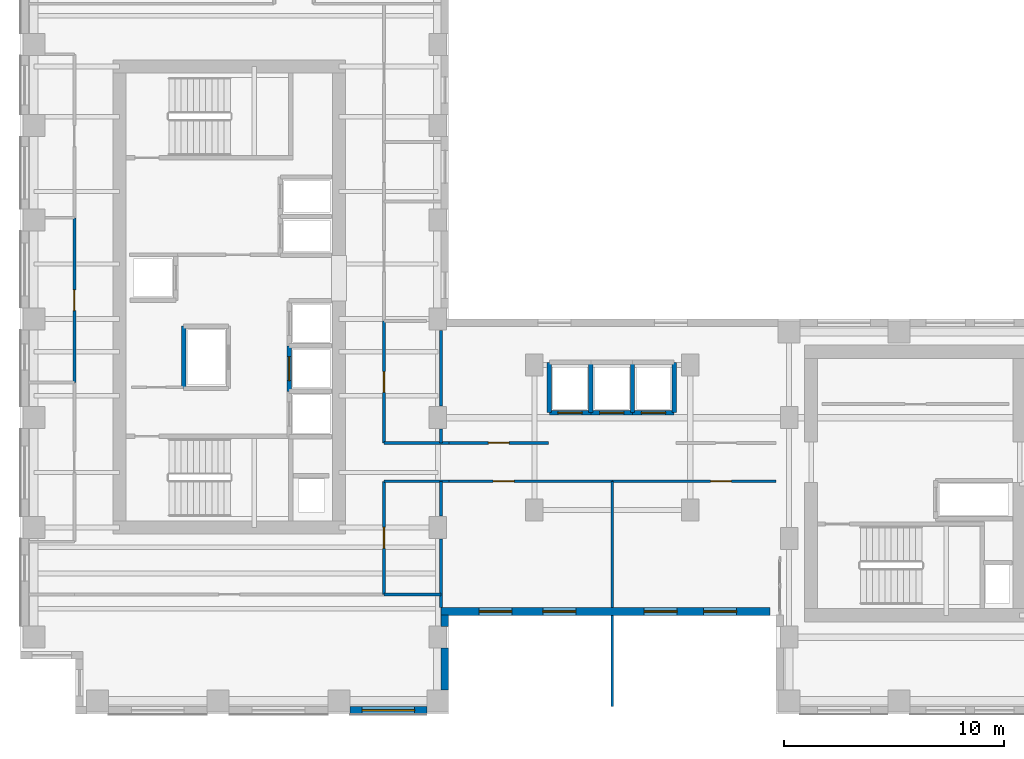
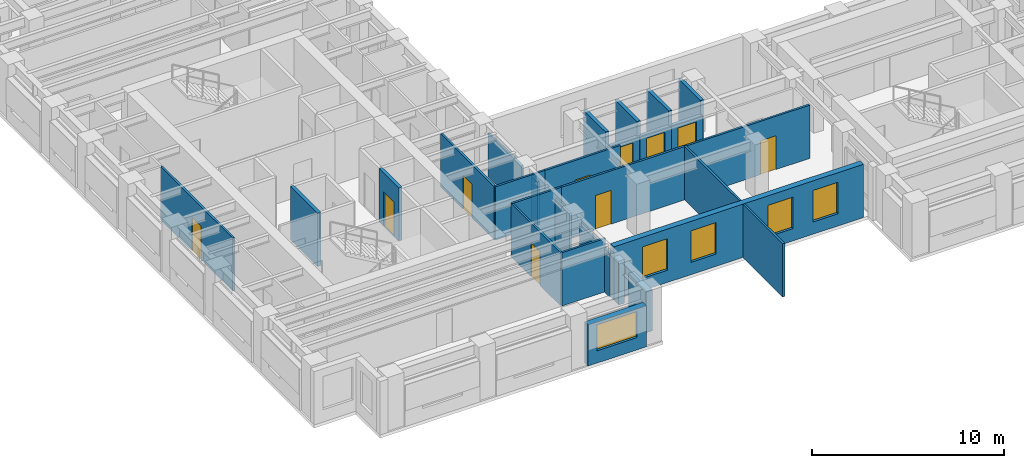
# One storey, part 5 of 12: 28 walls, 10 doors, 5 windows, 15 openings.
"""IFC4 building model written with IfcOpenShell, lengths in metres."""

from ifc_helpers import new_model, si_unit, direction, frame, frame_2d, origin, place, context, subcontext, project, spatial, rectangle, extrude, source, transform, mapped, material, layer, layer_set, type_object, element, fill, save


model = new_model("IFC4")

# Units and contexts
model_context = context("Model", 3, precision=1e-05, world=origin(), true_north=direction((0.0, 1.0)))
body_context = subcontext(model_context, "Body", "Model", "MODEL_VIEW")
ifc_project = project(units=[si_unit("LENGTHUNIT", "METRE"), si_unit("AREAUNIT", "SQUARE_METRE"), si_unit("VOLUMEUNIT", "CUBIC_METRE"), si_unit("PLANEANGLEUNIT", "RADIAN"), si_unit("MASSUNIT", "GRAM", prefix="KILO")], contexts=[model_context])

# Site, building, storey
site_placement = place(None, origin())
site = spatial("IfcSite", under=ifc_project, at=site_placement, CompositionType="ELEMENT")
building_placement = place(site_placement, origin())
building = spatial("IfcBuilding", under=site, at=building_placement, Name="Kharzan Plaza Tower", CompositionType="ELEMENT")
storey_placement = place(building_placement, frame((0.0, 0.0, 146.699951171875)))
storey = spatial("IfcBuildingStorey", under=building, at=storey_placement, Name="L39", CompositionType="ELEMENT", Elevation=146.699951171875)

# Wall, opening, window
ifc_material_1 = material(Name="Concrete C40/50", Category="concrete")
ifc_layer_1 = layer(ifc_material_1, 0.35009765625)
ifc_layer_set_1 = layer_set([ifc_layer_1], Name="Concrete C40/50")
wall_type_1 = type_object("IfcWallType", Name="WL-EXT-MAS-Z3", PredefinedType="SOLIDWALL", material=ifc_layer_set_1)
wall_1_placement = place(storey_placement, frame((14.998046875, 0.175048828125, 0.0), z_axis=(0.0, 0.0, 1.0), x_axis=(1.0, 0.0, 0.0)))
wall_1 = element("IfcWall", 1, at=wall_1_placement, inside=storey, type_object=wall_type_1, Name="L39 Masonry-Frame Exterior Wall 23", PredefinedType="SOLIDWALL", context=body_context, shape_type="SweptSolid", body=[
    extrude(rectangle(XDim=3.50390625, YDim=0.35009765625, at=frame_2d((1.751953125, 0.0))), origin(), (0.0, 0.0, 1.0), 2.612060546875),
])
opening_1_placement = place(wall_1_placement, frame((0.552001953125, 0.0, 0.780029296875)))
opening_1 = element("IfcOpeningElement", 2, at=opening_1_placement, cuts=wall_1, Name="Opening W2", PredefinedType="OPENING", context=body_context, shape_type="SweptSolid", body=[
    extrude(rectangle(XDim=2.39990234375, YDim=1.652099609375, at=frame_2d((1.199951171875, 0.826171875))), frame((0.0, 0.18505859375, 0.0), z_axis=(0.0, -1.0, 0.0), x_axis=(1.0, 0.0, 0.0)), (0.0, 0.0, 1.0), 0.3701171875),
])
ifc_material_2 = material(Name="Low-E Double Glazing", Category="glass")
window_type_1 = type_object("IfcWindowType", Name="WN-REC-2400x2100", PartitioningType="SINGLE_PANEL", PredefinedType="WINDOW", material=ifc_material_2)
shared_shape_1 = source(origin(), body_context, "Body", "SweptSolid", [
    extrude(rectangle(XDim=2.39990234375, YDim=1.652099609375, at=frame_2d((1.199951171875, 0.826171875))), frame((0.0, 0.030029296875, 0.0), z_axis=(0.0, -1.0, 0.0), x_axis=(1.0, 0.0, 0.0)), (0.0, 0.0, 1.0), 0.06005859375),
])
window_1_placement = place(opening_1_placement, origin())
window_1 = element("IfcWindow", 3, at=window_1_placement, inside=storey, type_object=window_type_1, Name="L39 Wide Recessed Solar-Control Window 23-1", OverallHeight=1.652099609375, OverallWidth=2.39990234375, PartitioningType="SINGLE_PANEL", PredefinedType="WINDOW", context=body_context, shape_type="MappedRepresentation", body=[
    mapped(shared_shape_1, transform((0.0, 0.0, 0.0), x_axis=(1.0, 0.0, 0.0), y_axis=(0.0, 1.0, 0.0), z_axis=(0.0, 0.0, 1.0))),
])
fill(opening_1, window_1)

# Wall, openings, windows
wall_2_placement = place(storey_placement, frame((19.14990234375, 4.675048828125, 0.0), z_axis=(0.0, 0.0, 1.0), x_axis=(1.0, 0.0, 0.0)))
wall_2 = element("IfcWall", 4, at=wall_2_placement, inside=storey, type_object=wall_type_1, Name="L39 Masonry-Frame Exterior Wall 26", PredefinedType="SOLIDWALL", context=body_context, shape_type="SweptSolid", body=[
    extrude(rectangle(XDim=14.97998046875, YDim=0.35009765625, at=frame_2d((7.489990234375, 0.0))), origin(), (0.0, 0.0, 1.0), 3.385009765625),
])
opening_2_placement = place(wall_2_placement, frame((1.72998046875, 0.0, 0.780029296875)))
opening_2 = element("IfcOpeningElement", 5, at=opening_2_placement, cuts=wall_2, Name="Opening W5", PredefinedType="OPENING", context=body_context, shape_type="SweptSolid", body=[
    extrude(rectangle(XDim=1.5, YDim=2.0, at=frame_2d((0.75, 1.0))), frame((0.0, 0.18505859375, 0.0), z_axis=(0.0, -1.0, 0.0), x_axis=(1.0, 0.0, 0.0)), (0.0, 0.0, 1.0), 0.3701171875),
])
opening_3_placement = place(wall_2_placement, frame((4.639892578125, 0.0, 0.780029296875)))
opening_3 = element("IfcOpeningElement", 6, at=opening_3_placement, cuts=wall_2, Name="Opening W5", PredefinedType="OPENING", context=body_context, shape_type="SweptSolid", body=[
    extrude(rectangle(XDim=1.5, YDim=2.0, at=frame_2d((0.75, 1.0))), frame((0.0, 0.18505859375, 0.0), z_axis=(0.0, -1.0, 0.0), x_axis=(1.0, 0.0, 0.0)), (0.0, 0.0, 1.0), 0.3701171875),
])
opening_4_placement = place(wall_2_placement, frame((9.25341796875, 0.0, 0.780029296875)))
opening_4 = element("IfcOpeningElement", 7, at=opening_4_placement, cuts=wall_2, Name="Opening W5", PredefinedType="OPENING", context=body_context, shape_type="SweptSolid", body=[
    extrude(rectangle(XDim=1.5, YDim=2.0, at=frame_2d((0.75, 1.0))), frame((0.0, 0.18505859375, 0.0), z_axis=(0.0, -1.0, 0.0), x_axis=(1.0, 0.0, 0.0)), (0.0, 0.0, 1.0), 0.3701171875),
])
opening_5_placement = place(wall_2_placement, frame((11.956787109375, 0.0, 0.780029296875)))
opening_5 = element("IfcOpeningElement", 8, at=opening_5_placement, cuts=wall_2, Name="Opening W5", PredefinedType="OPENING", context=body_context, shape_type="SweptSolid", body=[
    extrude(rectangle(XDim=1.5, YDim=2.0, at=frame_2d((0.75, 1.0))), frame((0.0, 0.18505859375, 0.0), z_axis=(0.0, -1.0, 0.0), x_axis=(1.0, 0.0, 0.0)), (0.0, 0.0, 1.0), 0.3701171875),
])
window_type_2 = type_object("IfcWindowType", Name="WN-SLT-1500x2000", PartitioningType="SINGLE_PANEL", PredefinedType="WINDOW", material=ifc_material_2)
shared_shape_2 = source(origin(), body_context, "Body", "SweptSolid", [
    extrude(rectangle(XDim=1.5, YDim=2.0, at=frame_2d((0.75, 1.0))), frame((0.0, 0.030029296875, 0.0), z_axis=(0.0, -1.0, 0.0), x_axis=(1.0, 0.0, 0.0)), (0.0, 0.0, 1.0), 0.06005859375),
])
window_2_placement = place(opening_2_placement, origin())
window_2 = element("IfcWindow", 9, at=window_2_placement, inside=storey, type_object=window_type_2, Name="L39 Recessed Solar-Control Window 26-1", OverallHeight=2.0, OverallWidth=1.5, PartitioningType="SINGLE_PANEL", PredefinedType="WINDOW", context=body_context, shape_type="MappedRepresentation", body=[
    mapped(shared_shape_2, transform((0.0, 0.0, 0.0), x_axis=(1.0, 0.0, 0.0), y_axis=(0.0, 1.0, 0.0), z_axis=(0.0, 0.0, 1.0))),
])
fill(opening_2, window_2)
window_3_placement = place(opening_3_placement, origin())
window_3 = element("IfcWindow", 10, at=window_3_placement, inside=storey, type_object=window_type_2, Name="L39 Recessed Solar-Control Window 26-2", OverallHeight=2.0, OverallWidth=1.5, PartitioningType="SINGLE_PANEL", PredefinedType="WINDOW", context=body_context, shape_type="MappedRepresentation", body=[
    mapped(shared_shape_2, transform((0.0, 0.0, 0.0), x_axis=(1.0, 0.0, 0.0), y_axis=(0.0, 1.0, 0.0), z_axis=(0.0, 0.0, 1.0))),
])
fill(opening_3, window_3)
window_4_placement = place(opening_4_placement, origin())
window_4 = element("IfcWindow", 11, at=window_4_placement, inside=storey, type_object=window_type_2, Name="L39 Recessed Solar-Control Window 26-3", OverallHeight=2.0, OverallWidth=1.5, PartitioningType="SINGLE_PANEL", PredefinedType="WINDOW", context=body_context, shape_type="MappedRepresentation", body=[
    mapped(shared_shape_2, transform((0.0, 0.0, 0.0), x_axis=(1.0, 0.0, 0.0), y_axis=(0.0, 1.0, 0.0), z_axis=(0.0, 0.0, 1.0))),
])
fill(opening_4, window_4)
window_5_placement = place(opening_5_placement, origin())
window_5 = element("IfcWindow", 12, at=window_5_placement, inside=storey, type_object=window_type_2, Name="L39 Recessed Solar-Control Window 26-4", OverallHeight=2.0, OverallWidth=1.5, PartitioningType="SINGLE_PANEL", PredefinedType="WINDOW", context=body_context, shape_type="MappedRepresentation", body=[
    mapped(shared_shape_2, transform((0.0, 0.0, 0.0), x_axis=(1.0, 0.0, 0.0), y_axis=(0.0, 1.0, 0.0), z_axis=(0.0, 0.0, 1.0))),
])
fill(opening_5, window_5)

# Wall, opening, door
ifc_material_3 = material(Name="Fire-Rated Gypsum Board Partition", Category="gypsum")
ifc_layer_2 = layer(ifc_material_3, 0.125)
ifc_layer_set_2 = layer_set([ifc_layer_2], Name="Fire-Rated Gypsum Board Partition")
wall_type_2 = type_object("IfcWallType", Name="WL-INT-PART-125", PredefinedType="PARTITIONING", material=ifc_layer_set_2)
wall_3_placement = place(storey_placement, frame((16.550048828125, 12.35009765625, 0.0), z_axis=(0.0, 0.0, 1.0), x_axis=(0.0, 1.0, 0.0)))
wall_3 = element("IfcWall", 13, at=wall_3_placement, inside=storey, type_object=wall_type_2, Name="L39 Interior Partition SH-AEWN1", PredefinedType="PARTITIONING", context=body_context, shape_type="SweptSolid", body=[
    extrude(rectangle(XDim=5.5498046875, YDim=0.125, at=frame_2d((2.77490234375, 0.0))), origin(), (0.0, 0.0, 1.0), 3.385009765625),
])
opening_6_placement = place(wall_3_placement, frame((2.300048828125, 0.0, 0.0)))
opening_6 = element("IfcOpeningElement", 14, at=opening_6_placement, cuts=wall_3, Name="Opening OD1", PredefinedType="OPENING", context=body_context, shape_type="SweptSolid", body=[
    extrude(rectangle(XDim=0.949951171875, YDim=2.14990234375, at=frame_2d((0.47509765625, 1.074951171875))), frame((0.0, 0.072509765625, 0.0), z_axis=(0.0, -1.0, 0.0), x_axis=(1.0, 0.0, 0.0)), (0.0, 0.0, 1.0), 0.14501953125),
])
ifc_material_4 = material(Name="Acoustic Solid-Core Stained Oak", Category="timber")
door_type_1 = type_object("IfcDoorType", Name="DR-OFF-SINGLE", OperationType="NOTDEFINED", PredefinedType="DOOR", material=ifc_material_4)
shared_shape_3 = source(origin(), body_context, "Body", "SweptSolid", [
    extrude(rectangle(XDim=0.949951171875, YDim=2.14990234375, at=frame_2d((0.47509765625, 1.074951171875))), frame((0.0, 0.02490234375, 0.0), z_axis=(0.0, -1.0, 0.0), x_axis=(1.0, 0.0, 0.0)), (0.0, 0.0, 1.0), 0.050048828125),
])
door_1_placement = place(opening_6_placement, origin())
door_1 = element("IfcDoor", 15, at=door_1_placement, inside=storey, type_object=door_type_1, Name="L39 Slot Collaboration Door", OperationType="SINGLE_SWING_RIGHT", OverallHeight=2.14990234375, OverallWidth=0.949951171875, PredefinedType="DOOR", context=body_context, shape_type="MappedRepresentation", body=[
    mapped(shared_shape_3, transform((0.0, 0.0, 0.0), x_axis=(1.0, 0.0, 0.0), y_axis=(0.0, 1.0, 0.0), z_axis=(0.0, 0.0, 1.0))),
])
fill(opening_6, door_1)

wall_4_placement = place(storey_placement, frame((16.550048828125, 5.449951171875, 0.0), z_axis=(0.0, 0.0, 1.0), x_axis=(0.0, 1.0, 0.0)))
wall_4 = element("IfcWall", 16, at=wall_4_placement, inside=storey, type_object=wall_type_2, Name="L39 Interior Partition SH-AEWS", PredefinedType="PARTITIONING", context=body_context, shape_type="SweptSolid", body=[
    extrude(rectangle(XDim=5.150146484375, YDim=0.125, at=frame_2d((2.5751953125, 0.0))), origin(), (0.0, 0.0, 1.0), 3.385009765625),
])
opening_7_placement = place(wall_4_placement, frame((2.10009765625, 0.0, 0.0)))
opening_7 = element("IfcOpeningElement", 17, at=opening_7_placement, cuts=wall_4, Name="Opening OD1", PredefinedType="OPENING", context=body_context, shape_type="SweptSolid", body=[
    extrude(rectangle(XDim=0.949951171875, YDim=2.14990234375, at=frame_2d((0.47509765625, 1.074951171875))), frame((0.0, 0.072509765625, 0.0), z_axis=(0.0, -1.0, 0.0), x_axis=(1.0, 0.0, 0.0)), (0.0, 0.0, 1.0), 0.14501953125),
])
door_2_placement = place(opening_7_placement, origin())
door_2 = element("IfcDoor", 18, at=door_2_placement, inside=storey, type_object=door_type_1, Name="L39 Slot South Office Door", OperationType="SINGLE_SWING_LEFT", OverallHeight=2.14990234375, OverallWidth=0.949951171875, PredefinedType="DOOR", context=body_context, shape_type="MappedRepresentation", body=[
    mapped(shared_shape_3, transform((0.0, 0.0, 0.0), x_axis=(1.0, 0.0, 0.0), y_axis=(0.0, 1.0, 0.0), z_axis=(0.0, 0.0, 1.0))),
])
fill(opening_7, door_2)

wall_5_placement = place(storey_placement, frame((19.5, 12.35009765625, 0.0), z_axis=(0.0, 0.0, 1.0), x_axis=(1.0, 0.0, 0.0)))
wall_5 = element("IfcWall", 19, at=wall_5_placement, inside=storey, type_object=wall_type_2, Name="L39 Interior Partition SH-SPNW1", PredefinedType="PARTITIONING", context=body_context, shape_type="SweptSolid", body=[
    extrude(rectangle(XDim=4.550048828125, YDim=0.125, at=frame_2d((2.27490234375, 0.0))), origin(), (0.0, 0.0, 1.0), 3.385009765625),
])
opening_8_placement = place(wall_5_placement, frame((1.800048828125, 0.0, 0.0)))
opening_8 = element("IfcOpeningElement", 20, at=opening_8_placement, cuts=wall_5, Name="Opening OD1", PredefinedType="OPENING", context=body_context, shape_type="SweptSolid", body=[
    extrude(rectangle(XDim=0.949951171875, YDim=2.14990234375, at=frame_2d((0.47509765625, 1.074951171875))), frame((0.0, 0.072509765625, 0.0), z_axis=(0.0, -1.0, 0.0), x_axis=(1.0, 0.0, 0.0)), (0.0, 0.0, 1.0), 0.14501953125),
])
door_3_placement = place(opening_8_placement, origin())
door_3 = element("IfcDoor", 21, at=door_3_placement, inside=storey, type_object=door_type_1, Name="L39 North-West Spine Door", OperationType="SINGLE_SWING_RIGHT", OverallHeight=2.14990234375, OverallWidth=0.949951171875, PredefinedType="DOOR", context=body_context, shape_type="MappedRepresentation", body=[
    mapped(shared_shape_3, transform((0.0, 0.0, 0.0), x_axis=(1.0, 0.0, 0.0), y_axis=(0.0, 1.0, 0.0), z_axis=(0.0, 0.0, 1.0))),
])
fill(opening_8, door_3)

wall_6_placement = place(storey_placement, frame((19.5, 10.60009765625, 0.0), z_axis=(0.0, 0.0, 1.0), x_axis=(1.0, 0.0, 0.0)))
wall_6 = element("IfcWall", 22, at=wall_6_placement, inside=storey, type_object=wall_type_2, Name="L39 Interior Partition SH-SPS1", PredefinedType="PARTITIONING", context=body_context, shape_type="SweptSolid", body=[
    extrude(rectangle(XDim=7.449951171875, YDim=0.125, at=frame_2d((3.72509765625, 0.0))), origin(), (0.0, 0.0, 1.0), 3.385009765625),
])
opening_9_placement = place(wall_6_placement, frame((2.02197265625, 0.0, 0.0)))
opening_9 = element("IfcOpeningElement", 23, at=opening_9_placement, cuts=wall_6, Name="Opening OD1", PredefinedType="OPENING", context=body_context, shape_type="SweptSolid", body=[
    extrude(rectangle(XDim=0.949951171875, YDim=2.14990234375, at=frame_2d((0.47509765625, 1.074951171875))), frame((0.0, 0.072509765625, 0.0), z_axis=(0.0, -1.0, 0.0), x_axis=(1.0, 0.0, 0.0)), (0.0, 0.0, 1.0), 0.14501953125),
])
door_4_placement = place(opening_9_placement, origin())
door_4 = element("IfcDoor", 24, at=door_4_placement, inside=storey, type_object=door_type_1, Name="L39 South Spine West Door", OperationType="SINGLE_SWING_RIGHT", OverallHeight=2.14990234375, OverallWidth=0.949951171875, PredefinedType="DOOR", context=body_context, shape_type="MappedRepresentation", body=[
    mapped(shared_shape_3, transform((0.0, 0.0, 0.0), x_axis=(1.0, 0.0, 0.0), y_axis=(0.0, 1.0, 0.0), z_axis=(0.0, 0.0, 1.0))),
])
fill(opening_9, door_4)

wall_7_placement = place(storey_placement, frame((26.949951171875, 10.60009765625, 0.0), z_axis=(0.0, 0.0, 1.0), x_axis=(1.0, 0.0, 0.0)))
wall_7 = element("IfcWall", 25, at=wall_7_placement, inside=storey, type_object=wall_type_2, Name="L39 Interior Partition SH-SPS2", PredefinedType="PARTITIONING", context=body_context, shape_type="SweptSolid", body=[
    extrude(rectangle(XDim=7.449951171875, YDim=0.125, at=frame_2d((3.72509765625, 0.0))), origin(), (0.0, 0.0, 1.0), 3.385009765625),
])
opening_10_placement = place(wall_7_placement, frame((4.47802734375, 0.0, 0.0)))
opening_10 = element("IfcOpeningElement", 26, at=opening_10_placement, cuts=wall_7, Name="Opening OD1", PredefinedType="OPENING", context=body_context, shape_type="SweptSolid", body=[
    extrude(rectangle(XDim=0.949951171875, YDim=2.14990234375, at=frame_2d((0.47509765625, 1.074951171875))), frame((0.0, 0.072509765625, 0.0), z_axis=(0.0, -1.0, 0.0), x_axis=(1.0, 0.0, 0.0)), (0.0, 0.0, 1.0), 0.14501953125),
])
door_5_placement = place(opening_10_placement, origin())
door_5 = element("IfcDoor", 27, at=door_5_placement, inside=storey, type_object=door_type_1, Name="L39 South Spine East Door", OperationType="SINGLE_SWING_LEFT", OverallHeight=2.14990234375, OverallWidth=0.949951171875, PredefinedType="DOOR", context=body_context, shape_type="MappedRepresentation", body=[
    mapped(shared_shape_3, transform((0.0, 0.0, 0.0), x_axis=(1.0, 0.0, 0.0), y_axis=(0.0, 1.0, 0.0), z_axis=(0.0, 0.0, 1.0))),
])
fill(opening_10, door_5)

wall_8_placement = place(storey_placement, frame((2.449951171875, 15.10009765625, 0.0), z_axis=(0.0, 0.0, 1.0), x_axis=(0.0, 1.0, 0.0)))
wall_8 = element("IfcWall", 28, at=wall_8_placement, inside=storey, type_object=wall_type_2, Name="L39 Interior Partition SH-WW-2", PredefinedType="PARTITIONING", context=body_context, shape_type="SweptSolid", body=[
    extrude(rectangle(XDim=7.5, YDim=0.125, at=frame_2d((3.75, 0.0))), origin(), (0.0, 0.0, 1.0), 3.385009765625),
])
opening_11_placement = place(wall_8_placement, frame((3.27490234375, 0.0, 0.0)))
opening_11 = element("IfcOpeningElement", 29, at=opening_11_placement, cuts=wall_8, Name="Opening OD1", PredefinedType="OPENING", context=body_context, shape_type="SweptSolid", body=[
    extrude(rectangle(XDim=0.949951171875, YDim=2.14990234375, at=frame_2d((0.47509765625, 1.074951171875))), frame((0.0, 0.072509765625, 0.0), z_axis=(0.0, -1.0, 0.0), x_axis=(1.0, 0.0, 0.0)), (0.0, 0.0, 1.0), 0.14501953125),
])
door_6_placement = place(opening_11_placement, origin())
door_6 = element("IfcDoor", 30, at=door_6_placement, inside=storey, type_object=door_type_1, Name="L39 Executive Boardroom Door", OperationType="SINGLE_SWING_RIGHT", OverallHeight=2.14990234375, OverallWidth=0.949951171875, PredefinedType="DOOR", context=body_context, shape_type="MappedRepresentation", body=[
    mapped(shared_shape_3, transform((0.0, 0.0, 0.0), x_axis=(1.0, 0.0, 0.0), y_axis=(0.0, 1.0, 0.0), z_axis=(0.0, 0.0, 1.0))),
])
fill(opening_11, door_6)

ifc_layer_3 = layer(ifc_material_1, 0.199951171875)
ifc_layer_set_3 = layer_set([ifc_layer_3], Name="Concrete C40/50")
wall_type_3 = type_object("IfcWallType", Name="WL-INT-SHAFT-200", PredefinedType="PARTITIONING", material=ifc_layer_set_3)
wall_9_placement = place(storey_placement, frame((12.22998046875, 14.699951171875, 0.0), z_axis=(0.0, 0.0, 1.0), x_axis=(0.0, 1.0, 0.0)))
wall_9 = element("IfcWall", 31, at=wall_9_placement, inside=storey, type_object=wall_type_3, Name="L39 Interior Partition SHF-PL-H2-W", PredefinedType="PARTITIONING", context=body_context, shape_type="SweptSolid", body=[
    extrude(rectangle(XDim=2.070068359375, YDim=0.199951171875, at=frame_2d((1.03515625, 0.0))), origin(), (0.0, 0.0, 1.0), 3.385009765625),
])
opening_12_placement = place(wall_9_placement, frame((0.485107421875, 0.0, 0.0)))
opening_12 = element("IfcOpeningElement", 32, at=opening_12_placement, cuts=wall_9, Name="Opening LD", PredefinedType="OPENING", context=body_context, shape_type="SweptSolid", body=[
    extrude(rectangle(XDim=1.10009765625, YDim=2.199951171875, at=frame_2d((0.550048828125, 1.10009765625))), frame((0.0, 0.10986328125, 0.0), z_axis=(0.0, -1.0, 0.0), x_axis=(1.0, 0.0, 0.0)), (0.0, 0.0, 1.0), 0.219970703125),
])
ifc_material_5 = material(Name="Brushed Stainless Steel", Category="steel")
door_type_2 = type_object("IfcDoorType", Name="DR-LIFT-SLIDE", OperationType="SLIDING_TO_LEFT", PredefinedType="DOOR", material=ifc_material_5)
shared_shape_4 = source(origin(), body_context, "Body", "SweptSolid", [
    extrude(rectangle(XDim=1.10009765625, YDim=2.199951171875, at=frame_2d((0.550048828125, 1.10009765625))), frame((0.0, 0.02490234375, 0.0), z_axis=(0.0, -1.0, 0.0), x_axis=(1.0, 0.0, 0.0)), (0.0, 0.0, 1.0), 0.050048828125),
])
door_7_placement = place(opening_12_placement, origin())
door_7 = element("IfcDoor", 33, at=door_7_placement, inside=storey, type_object=door_type_2, Name="L39 High-Rise Passenger Lift PL-H2 Sliding Landing Door", OperationType="SLIDING_TO_LEFT", OverallHeight=2.199951171875, OverallWidth=1.10009765625, PredefinedType="DOOR", context=body_context, shape_type="MappedRepresentation", body=[
    mapped(shared_shape_4, transform((0.0, 0.0, 0.0), x_axis=(1.0, 0.0, 0.0), y_axis=(0.0, 1.0, 0.0), z_axis=(0.0, 0.0, 1.0))),
])
fill(opening_12, door_7)

wall_10_placement = place(storey_placement, frame((24.080078125, 13.72998046875, 0.0), z_axis=(0.0, 0.0, 1.0), x_axis=(1.0, 0.0, 0.0)))
wall_10 = element("IfcWall", 34, at=wall_10_placement, inside=storey, type_object=wall_type_3, Name="L39 Interior Partition SHF-PL-M1-S", PredefinedType="PARTITIONING", context=body_context, shape_type="SweptSolid", body=[
    extrude(rectangle(XDim=1.889892578125, YDim=0.199951171875, at=frame_2d((0.94482421875, 0.0))), origin(), (0.0, 0.0, 1.0), 2.466064453125),
])
opening_13_placement = place(wall_10_placement, frame((0.39501953125, 0.0, 0.0)))
opening_13 = element("IfcOpeningElement", 35, at=opening_13_placement, cuts=wall_10, Name="Opening LD", PredefinedType="OPENING", context=body_context, shape_type="SweptSolid", body=[
    extrude(rectangle(XDim=1.10009765625, YDim=2.199951171875, at=frame_2d((0.550048828125, 1.10009765625))), frame((0.0, 0.10986328125, 0.0), z_axis=(0.0, -1.0, 0.0), x_axis=(1.0, 0.0, 0.0)), (0.0, 0.0, 1.0), 0.219970703125),
])
door_8_placement = place(opening_13_placement, origin())
door_8 = element("IfcDoor", 36, at=door_8_placement, inside=storey, type_object=door_type_2, Name="L39 Mid-Rise Passenger Lift PL-M1 Sliding Landing Door", OperationType="SLIDING_TO_LEFT", OverallHeight=2.199951171875, OverallWidth=1.10009765625, PredefinedType="DOOR", context=body_context, shape_type="MappedRepresentation", body=[
    mapped(shared_shape_4, transform((0.0, 0.0, 0.0), x_axis=(1.0, 0.0, 0.0), y_axis=(0.0, 1.0, 0.0), z_axis=(0.0, 0.0, 1.0))),
])
fill(opening_13, door_8)

wall_11_placement = place(storey_placement, frame((25.97998046875, 13.72998046875, 0.0), z_axis=(0.0, 0.0, 1.0), x_axis=(1.0, 0.0, 0.0)))
wall_11 = element("IfcWall", 37, at=wall_11_placement, inside=storey, type_object=wall_type_3, Name="L39 Interior Partition SHF-PL-M2-S", PredefinedType="PARTITIONING", context=body_context, shape_type="SweptSolid", body=[
    extrude(rectangle(XDim=1.89013671875, YDim=0.199951171875, at=frame_2d((0.945068359375, 0.0))), origin(), (0.0, 0.0, 1.0), 2.466064453125),
])
opening_14_placement = place(wall_11_placement, frame((0.39501953125, 0.0, 0.0)))
opening_14 = element("IfcOpeningElement", 38, at=opening_14_placement, cuts=wall_11, Name="Opening LD", PredefinedType="OPENING", context=body_context, shape_type="SweptSolid", body=[
    extrude(rectangle(XDim=1.10009765625, YDim=2.199951171875, at=frame_2d((0.550048828125, 1.10009765625))), frame((0.0, 0.10986328125, 0.0), z_axis=(0.0, -1.0, 0.0), x_axis=(1.0, 0.0, 0.0)), (0.0, 0.0, 1.0), 0.219970703125),
])
door_9_placement = place(opening_14_placement, origin())
door_9 = element("IfcDoor", 39, at=door_9_placement, inside=storey, type_object=door_type_2, Name="L39 Mid-Rise Passenger Lift PL-M2 Sliding Landing Door", OperationType="SLIDING_TO_LEFT", OverallHeight=2.199951171875, OverallWidth=1.10009765625, PredefinedType="DOOR", context=body_context, shape_type="MappedRepresentation", body=[
    mapped(shared_shape_4, transform((0.0, 0.0, 0.0), x_axis=(1.0, 0.0, 0.0), y_axis=(0.0, 1.0, 0.0), z_axis=(0.0, 0.0, 1.0))),
])
fill(opening_14, door_9)

wall_12_placement = place(storey_placement, frame((27.8798828125, 13.72998046875, 0.0), z_axis=(0.0, 0.0, 1.0), x_axis=(1.0, 0.0, 0.0)))
wall_12 = element("IfcWall", 40, at=wall_12_placement, inside=storey, type_object=wall_type_3, Name="L39 Interior Partition SHF-PL-M3-S", PredefinedType="PARTITIONING", context=body_context, shape_type="SweptSolid", body=[
    extrude(rectangle(XDim=1.89013671875, YDim=0.199951171875, at=frame_2d((0.945068359375, 0.0))), origin(), (0.0, 0.0, 1.0), 2.466064453125),
])
opening_15_placement = place(wall_12_placement, frame((0.39501953125, 0.0, 0.0)))
opening_15 = element("IfcOpeningElement", 41, at=opening_15_placement, cuts=wall_12, Name="Opening LD", PredefinedType="OPENING", context=body_context, shape_type="SweptSolid", body=[
    extrude(rectangle(XDim=1.10009765625, YDim=2.199951171875, at=frame_2d((0.550048828125, 1.10009765625))), frame((0.0, 0.10986328125, 0.0), z_axis=(0.0, -1.0, 0.0), x_axis=(1.0, 0.0, 0.0)), (0.0, 0.0, 1.0), 0.219970703125),
])
door_10_placement = place(opening_15_placement, origin())
door_10 = element("IfcDoor", 42, at=door_10_placement, inside=storey, type_object=door_type_2, Name="L39 Mid-Rise Passenger Lift PL-M3 Sliding Landing Door", OperationType="SLIDING_TO_LEFT", OverallHeight=2.199951171875, OverallWidth=1.10009765625, PredefinedType="DOOR", context=body_context, shape_type="MappedRepresentation", body=[
    mapped(shared_shape_4, transform((0.0, 0.0, 0.0), x_axis=(1.0, 0.0, 0.0), y_axis=(0.0, 1.0, 0.0), z_axis=(0.0, 0.0, 1.0))),
])
fill(opening_15, door_10)

# Walls
shared_shape_5 = source(origin(), body_context, "Body", "SweptSolid", [
    extrude(rectangle(XDim=0.50390625, YDim=0.35009765625, at=frame_2d((0.251953125, 0.0))), origin(), (0.0, 0.0, 1.0), 2.77294921875),
])
wall_13_placement = place(storey_placement, frame((19.324951171875, 3.998046875, 0.0), z_axis=(0.0, 0.0, 1.0), x_axis=(0.0, 1.0, 0.0)))
element("IfcWall", 43, at=wall_13_placement, inside=storey, type_object=wall_type_1, Name="L39 Masonry-Frame Exterior Wall 25", PredefinedType="SOLIDWALL", context=body_context, shape_type="MappedRepresentation", body=[
    mapped(shared_shape_5, transform((0.0, 0.0, 0.0), x_axis=(1.0, 0.0, 0.0), y_axis=(0.0, 1.0, 0.0), z_axis=(0.0, 0.0, 1.0))),
])
shared_shape_6 = source(origin(), body_context, "Body", "SweptSolid", [
    extrude(rectangle(XDim=0.6298828125, YDim=0.125, at=frame_2d((0.31494140625, 0.0))), origin(), (0.0, 0.0, 1.0), 2.77294921875),
])
wall_14_placement = place(storey_placement, frame((19.14990234375, 12.35009765625, 0.0), z_axis=(0.0, 0.0, 1.0), x_axis=(0.0, 1.0, 0.0)))
element("IfcWall", 44, at=wall_14_placement, inside=storey, type_object=wall_type_2, Name="L39 Interior Partition SH-AEN-DIV-S1", PredefinedType="PARTITIONING", context=body_context, shape_type="MappedRepresentation", body=[
    mapped(shared_shape_6, transform((0.0, 0.0, 0.0), x_axis=(1.0, 0.0, 0.0), y_axis=(0.0, 1.0, 0.0), z_axis=(0.0, 0.0, 1.0))),
])
shared_shape_7 = source(origin(), body_context, "Body", "SweptSolid", [
    extrude(rectangle(XDim=3.4599609375, YDim=0.125, at=frame_2d((1.72998046875, 0.0))), origin(), (0.0, 0.0, 1.0), 2.77294921875),
])
wall_15_placement = place(storey_placement, frame((19.14990234375, 14.02001953125, 0.0), z_axis=(0.0, 0.0, 1.0), x_axis=(0.0, 1.0, 0.0)))
element("IfcWall", 45, at=wall_15_placement, inside=storey, type_object=wall_type_2, Name="L39 Interior Partition SH-AEN-DIV-S2", PredefinedType="PARTITIONING", context=body_context, shape_type="MappedRepresentation", body=[
    mapped(shared_shape_7, transform((0.0, 0.0, 0.0), x_axis=(1.0, 0.0, 0.0), y_axis=(0.0, 1.0, 0.0), z_axis=(0.0, 0.0, 1.0))),
])
shared_shape_8 = source(origin(), body_context, "Body", "SweptSolid", [
    extrude(rectangle(XDim=3.1279296875, YDim=0.125, at=frame_2d((1.56396484375, 0.0))), origin(), (0.0, 0.0, 1.0), 2.77294921875),
])
wall_16_placement = place(storey_placement, frame((19.14990234375, 4.85205078125, 0.0), z_axis=(0.0, 0.0, 1.0), x_axis=(0.0, 1.0, 0.0)))
element("IfcWall", 46, at=wall_16_placement, inside=storey, type_object=wall_type_2, Name="L39 Interior Partition SH-AESP-DIV-S1", PredefinedType="PARTITIONING", context=body_context, shape_type="MappedRepresentation", body=[
    mapped(shared_shape_8, transform((0.0, 0.0, 0.0), x_axis=(1.0, 0.0, 0.0), y_axis=(0.0, 1.0, 0.0), z_axis=(0.0, 0.0, 1.0))),
])
shared_shape_9 = source(origin(), body_context, "Body", "SweptSolid", [
    extrude(rectangle(XDim=1.580078125, YDim=0.125, at=frame_2d((0.7900390625, 0.0))), origin(), (0.0, 0.0, 1.0), 2.77294921875),
])
wall_17_placement = place(storey_placement, frame((19.14990234375, 9.02001953125, 0.0), z_axis=(0.0, 0.0, 1.0), x_axis=(0.0, 1.0, 0.0)))
element("IfcWall", 47, at=wall_17_placement, inside=storey, type_object=wall_type_2, Name="L39 Interior Partition SH-AESP-DIV-S2", PredefinedType="PARTITIONING", context=body_context, shape_type="MappedRepresentation", body=[
    mapped(shared_shape_9, transform((0.0, 0.0, 0.0), x_axis=(1.0, 0.0, 0.0), y_axis=(0.0, 1.0, 0.0), z_axis=(0.0, 0.0, 1.0))),
])
shared_shape_10 = source(origin(), body_context, "Body", "SweptSolid", [
    extrude(rectangle(XDim=2.2900390625, YDim=0.199951171875, at=frame_2d((1.14501953125, 0.0))), origin(), (0.0, 0.0, 1.0), 3.385009765625),
])
for number, where, z_axis, x_axis, name in (
    (48, (25.969970703125, 13.72998046875, 0.0), (0.0, 0.0, 1.0), (0.0, 1.0, 0.0), "L39 Interior Partition SHF-PL-M1-E"),
    (49, (24.080078125, 13.72998046875, 0.0), (0.0, 0.0, 1.0), (0.0, 1.0, 0.0), "L39 Interior Partition SHF-PL-M1-W"),
    (50, (27.8701171875, 13.72998046875, 0.0), (0.0, 0.0, 1.0), (0.0, 1.0, 0.0), "L39 Interior Partition SHF-PL-M2-E"),
    (51, (29.77001953125, 13.72998046875, 0.0), (0.0, 0.0, 1.0), (0.0, 1.0, 0.0), "L39 Interior Partition SHF-PL-M3-E"),
):
    element("IfcWall", number, at=place(storey_placement, frame(where, z_axis=z_axis, x_axis=x_axis)), inside=storey, type_object=wall_type_3, Name=name, PredefinedType="PARTITIONING", context=body_context, shape_type="MappedRepresentation", body=[
        mapped(shared_shape_10, transform((0.0, 0.0, 0.0), x_axis=(1.0, 0.0, 0.0), y_axis=(0.0, 1.0, 0.0), z_axis=(0.0, 0.0, 1.0))),
    ])
shared_shape_11 = source(origin(), body_context, "Body", "SweptSolid", [
    extrude(rectangle(XDim=2.83984375, YDim=0.199951171875, at=frame_2d((1.419921875, 0.0))), origin(), (0.0, 0.0, 1.0), 3.385009765625),
])
wall_18_placement = place(storey_placement, frame((7.429931640625, 14.830078125, 0.0), z_axis=(0.0, 0.0, 1.0), x_axis=(0.0, 1.0, 0.0)))
element("IfcWall", 52, at=wall_18_placement, inside=storey, type_object=wall_type_3, Name="L39 Interior Partition SHF-SVL-1-W", PredefinedType="PARTITIONING", context=body_context, shape_type="MappedRepresentation", body=[
    mapped(shared_shape_11, transform((0.0, 0.0, 0.0), x_axis=(1.0, 0.0, 0.0), y_axis=(0.0, 1.0, 0.0), z_axis=(0.0, 0.0, 1.0))),
])
shared_shape_12 = source(origin(), body_context, "Body", "SweptSolid", [
    extrude(rectangle(XDim=1.904052734375, YDim=0.35009765625, at=frame_2d((0.9521484375, 0.0))), origin(), (0.0, 0.0, 1.0), 2.612060546875),
])
wall_19_placement = place(storey_placement, frame((19.324951171875, 1.097900390625, 0.0), z_axis=(0.0, 0.0, 1.0), x_axis=(0.0, 1.0, 0.0)))
element("IfcWall", 53, at=wall_19_placement, inside=storey, type_object=wall_type_1, Name="L39 Masonry-Frame Exterior Wall 24", PredefinedType="SOLIDWALL", context=body_context, shape_type="MappedRepresentation", body=[
    mapped(shared_shape_12, transform((0.0, 0.0, 0.0), x_axis=(1.0, 0.0, 0.0), y_axis=(0.0, 1.0, 0.0), z_axis=(0.0, 0.0, 1.0))),
])
shared_shape_13 = source(origin(), body_context, "Body", "SweptSolid", [
    extrude(rectangle(XDim=2.949951171875, YDim=0.125, at=frame_2d((1.47509765625, 0.0))), origin(), (0.0, 0.0, 1.0), 3.385009765625),
])
for number, where, z_axis, x_axis, name in (
    (54, (16.550048828125, 12.35009765625, 0.0), (0.0, 0.0, 1.0), (1.0, 0.0, 0.0), "L39 Interior Partition SH-SPNW0"),
    (55, (16.550048828125, 10.60009765625, 0.0), (0.0, 0.0, 1.0), (1.0, 0.0, 0.0), "L39 Interior Partition SH-SPS0"),
):
    element("IfcWall", number, at=place(storey_placement, frame(where, z_axis=z_axis, x_axis=x_axis)), inside=storey, type_object=wall_type_2, Name=name, PredefinedType="PARTITIONING", context=body_context, shape_type="MappedRepresentation", body=[
        mapped(shared_shape_13, transform((0.0, 0.0, 0.0), x_axis=(1.0, 0.0, 0.0), y_axis=(0.0, 1.0, 0.0), z_axis=(0.0, 0.0, 1.0))),
    ])
shared_shape_14 = source(origin(), body_context, "Body", "SweptSolid", [
    extrude(rectangle(XDim=4.14794921875, YDim=0.125, at=frame_2d((2.073974609375, 0.0))), origin(), (0.0, 0.0, 1.0), 3.385009765625),
])
wall_20_placement = place(storey_placement, frame((26.949951171875, 0.35009765625, 0.0), z_axis=(0.0, 0.0, 1.0), x_axis=(0.0, 1.0, 0.0)))
element("IfcWall", 56, at=wall_20_placement, inside=storey, type_object=wall_type_2, Name="L39 Interior Partition SH-SPSV1-S1", PredefinedType="PARTITIONING", context=body_context, shape_type="MappedRepresentation", body=[
    mapped(shared_shape_14, transform((0.0, 0.0, 0.0), x_axis=(1.0, 0.0, 0.0), y_axis=(0.0, 1.0, 0.0), z_axis=(0.0, 0.0, 1.0))),
])
shared_shape_15 = source(origin(), body_context, "Body", "SweptSolid", [
    extrude(rectangle(XDim=5.748046875, YDim=0.125, at=frame_2d((2.8740234375, 0.0))), origin(), (0.0, 0.0, 1.0), 3.385009765625),
])
wall_21_placement = place(storey_placement, frame((26.949951171875, 4.85205078125, 0.0), z_axis=(0.0, 0.0, 1.0), x_axis=(0.0, 1.0, 0.0)))
element("IfcWall", 57, at=wall_21_placement, inside=storey, type_object=wall_type_2, Name="L39 Interior Partition SH-SPSV1-S2", PredefinedType="PARTITIONING", context=body_context, shape_type="MappedRepresentation", body=[
    mapped(shared_shape_15, transform((0.0, 0.0, 0.0), x_axis=(1.0, 0.0, 0.0), y_axis=(0.0, 1.0, 0.0), z_axis=(0.0, 0.0, 1.0))),
])
shared_shape_16 = source(origin(), body_context, "Body", "SweptSolid", [
    extrude(rectangle(XDim=2.599853515625, YDim=0.125, at=frame_2d((1.2998046875, 0.0))), origin(), (0.0, 0.0, 1.0), 3.385009765625),
])
wall_22_placement = place(storey_placement, frame((16.550048828125, 5.449951171875, 0.0), z_axis=(0.0, 0.0, 1.0), x_axis=(1.0, 0.0, 0.0)))
element("IfcWall", 58, at=wall_22_placement, inside=storey, type_object=wall_type_2, Name="L39 Interior Partition SH-SSE-1", PredefinedType="PARTITIONING", context=body_context, shape_type="MappedRepresentation", body=[
    mapped(shared_shape_16, transform((0.0, 0.0, 0.0), x_axis=(1.0, 0.0, 0.0), y_axis=(0.0, 1.0, 0.0), z_axis=(0.0, 0.0, 1.0))),
])

save(model, "model.ifc")
